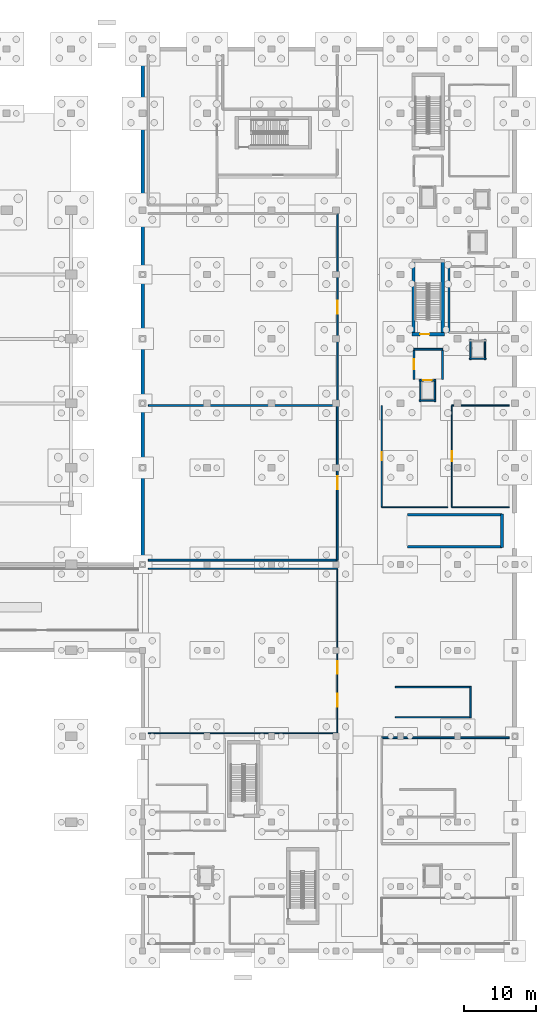
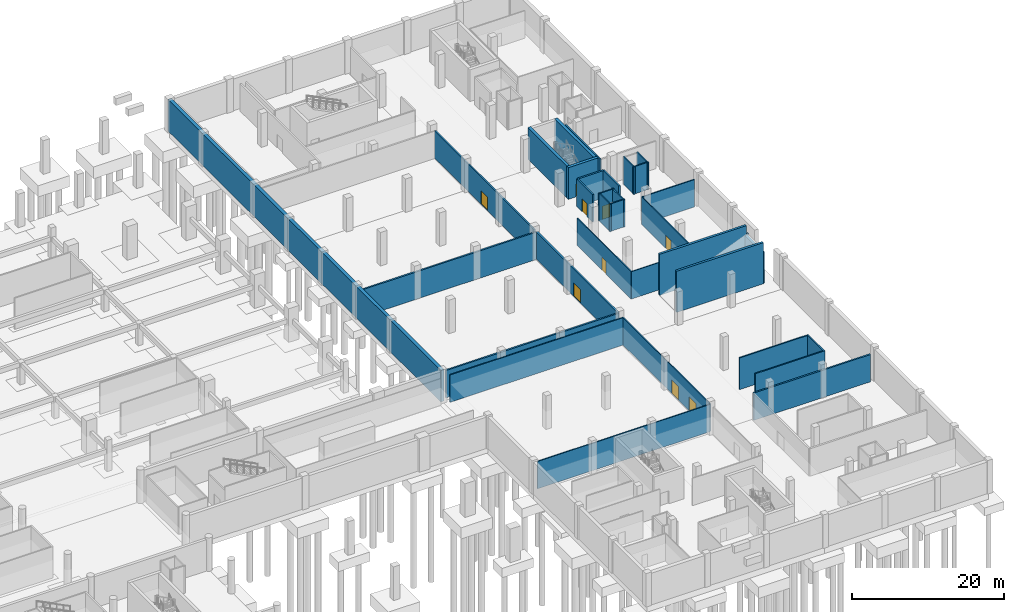
# One storey, part 15 of 26: 34 walls, 9 doors, 9 openings.
"""IFC4 building model written with IfcOpenShell, lengths in metres."""

import ifcopenshell
import ifcopenshell.guid

model = None  # the IFC model being written
_history = None  # IfcOwnerHistory: only IFC2X3 demands one
_inside = {}  # id of a spatial element -> (the spatial element, [elements in it])
_under = {}  # id of a project, library or spatial element -> (it, [spatial elements below it])
_declared = {}  # id of a project -> (the project, [libraries it declares])
_typed = {}  # id of a type object -> (the type object, [elements of that type])
_made_of = {}  # id of a material, layer set ... -> (it, [elements and type objects made of it])


def new_model(schema):
    """Start an empty IFC model of exactly this schema.

    Asked for "IFC4X3", IfcOpenShell would pick the latest addendum, in which some entities
    have other attributes; the version numbers below select the first issue.
    IFC2X3 requires an IfcOwnerHistory on every rooted entity: one is made here for all.
    """
    global model, _history
    if schema == "IFC4X3":
        model = ifcopenshell.file(schema_version=(4, 3, 0, 0))
    else:
        model = ifcopenshell.file(schema=schema)
    _inside.clear()
    _under.clear()
    _declared.clear()
    _typed.clear()
    _made_of.clear()
    _history = None
    if model.schema == "IFC2X3":
        org = make("IfcOrganization", Name="unknown")
        user = make(
            "IfcPersonAndOrganization",
            ThePerson=make("IfcPerson", FamilyName="unknown"),
            TheOrganization=org,
        )
        app = make(
            "IfcApplication",
            ApplicationDeveloper=org,
            Version="unknown",
            ApplicationFullName="unknown",
            ApplicationIdentifier="unknown",
        )
        _history = make(
            "IfcOwnerHistory",
            OwningUser=user,
            OwningApplication=app,
            ChangeAction="ADDED",
            CreationDate=0,
        )
    return model


def make(cls, **values):
    """One entity of the class cls with the attributes given. An attribute that is None is left unset."""
    return model.create_entity(
        cls, **{name: value for name, value in values.items() if value is not None}
    )


def rooted(cls, **values):
    """An entity with a GlobalId (a new one), such as an element, a storey or a relation."""
    return make(cls, GlobalId=ifcopenshell.guid.new(), OwnerHistory=_history, **values)


def si_unit(unit_type, name, prefix=None):
    """IfcSIUnit, for example si_unit("LENGTHUNIT", "METRE", prefix="MILLI")."""
    return make("IfcSIUnit", UnitType=unit_type, Prefix=prefix, Name=name)


def assignment(units):
    """IfcUnitAssignment: the units of a project."""
    return None if units is None else make("IfcUnitAssignment", Units=units)


def point(xyz):
    """IfcCartesianPoint."""
    return None if xyz is None else make("IfcCartesianPoint", Coordinates=xyz)


def direction(xyz):
    """IfcDirection."""
    return None if xyz is None else make("IfcDirection", DirectionRatios=xyz)


def frame(location, z_axis=None, x_axis=None):
    """IfcAxis2Placement3D, a coordinate frame: its origin and axes. An axis left out is left unset."""
    return make(
        "IfcAxis2Placement3D",
        Location=point(location),
        Axis=direction(z_axis),
        RefDirection=direction(x_axis),
    )


def frame_2d(location, x_axis=None):
    """IfcAxis2Placement2D, a coordinate frame in the plane: its origin and x axis."""
    return make(
        "IfcAxis2Placement2D", Location=point(location), RefDirection=direction(x_axis)
    )


def origin():
    """The frame at (0, 0, 0) with its axes left unset."""
    return frame((0.0, 0.0, 0.0))


def place(relative_to, where):
    """IfcLocalPlacement: puts the frame where relative to a parent placement (None: the world)."""
    return make(
        "IfcLocalPlacement", PlacementRelTo=relative_to, RelativePlacement=where
    )


def context(
    kind, dimensions, precision=None, world=None, true_north=None, identifier=None
):
    """IfcGeometricRepresentationContext, for example the 3D "Model" context."""
    return make(
        "IfcGeometricRepresentationContext",
        ContextIdentifier=identifier,
        ContextType=kind,
        CoordinateSpaceDimension=dimensions,
        Precision=precision,
        WorldCoordinateSystem=world,
        TrueNorth=true_north,
    )


def subcontext(parent, identifier, kind, view, scale=None):
    """IfcGeometricRepresentationSubContext, for example "Body" below "Model"."""
    return make(
        "IfcGeometricRepresentationSubContext",
        ContextIdentifier=identifier,
        ContextType=kind,
        ParentContext=parent,
        TargetScale=scale,
        TargetView=view,
    )


def project(units=None, contexts=None):
    """IfcProject with its units and contexts."""
    return rooted(
        "IfcProject",
        Name="project",
        RepresentationContexts=contexts,
        UnitsInContext=assignment(units),
    )


def spatial(cls, under=None, at=None, **own):
    """A site, building, storey or space (cls), placed at a placement, below another one or the project."""
    s = rooted(cls, ObjectPlacement=at, **own)
    if under is not None:
        _under.setdefault(under.id(), (under, []))[1].append(s)
    return s


def profile(cls, at=None, kind="AREA", **sizes):
    """A parametric profile (cls). Its sizes go by their IFC names, for example OverallWidth=200.0."""
    return make(cls, ProfileType=kind, Position=at, **sizes)


def rectangle(**sizes):
    """IfcRectangleProfileDef."""
    return profile("IfcRectangleProfileDef", **sizes)


def extrude(swept, where, along, depth):
    """IfcExtrudedAreaSolid: the profile swept, set in the frame where, extruded along a direction by depth."""
    return make(
        "IfcExtrudedAreaSolid",
        SweptArea=swept,
        Position=where,
        ExtrudedDirection=direction(along),
        Depth=depth,
    )


def shape(context_of_items, identifier, shape_type, items):
    """IfcShapeRepresentation: the items that make up one representation, for example the "Body"."""
    return make(
        "IfcShapeRepresentation",
        ContextOfItems=context_of_items,
        RepresentationIdentifier=identifier,
        RepresentationType=shape_type,
        Items=items,
    )


def material(Name=None, Category=None):
    """IfcMaterial."""
    return make("IfcMaterial", Name=Name, Category=Category)


def layer(
    of_material, thickness, ventilated=None, Name=None, Category=None, Priority=None
):
    """IfcMaterialLayer: one layer of a wall or slab, of a material (None: an air gap)."""
    return make(
        "IfcMaterialLayer",
        Material=of_material,
        LayerThickness=thickness,
        IsVentilated=ventilated,
        Name=Name,
        Category=Category,
        Priority=Priority,
    )


def layer_set(layers, Name=None):
    """IfcMaterialLayerSet."""
    return make("IfcMaterialLayerSet", MaterialLayers=layers, LayerSetName=Name)


def made_of(thing, what):
    """Note that an element or type object is made of a material, layer set ...; save() writes the relation."""
    if what is not None:
        _made_of.setdefault(what.id(), (what, []))[1].append(thing)
    return thing


def type_object(cls, material=None, **own):
    """A type object (cls), such as IfcWallType, which elements share."""
    return made_of(rooted(cls, **own), material)


def element(
    cls,
    number,
    at=None,
    inside=None,
    cuts=None,
    type_object=None,
    material=None,
    context=None,
    identifier="Body",
    shape_type=None,
    held_by="IfcProductDefinitionShape",
    body=None,
    shapes=None,
    **own,
):
    """One element of the class cls, such as IfcWall. Its Tag is "e" and its number.

    at: its placement. inside: the storey or other place that contains it. cuts: it is an
    opening in that element (IfcRelVoidsElement). A single representation is given by context,
    identifier, shape_type and body (its items); several are given by shapes. held_by: the class
    of the entity that holds the representations. save() writes the other relations.
    """
    e = rooted(cls, Tag="e%d" % number, ObjectPlacement=at, **own)
    if body is not None:
        shapes = [shape(context, identifier, shape_type, body)]
    if shapes is not None:
        e.Representation = make(held_by, Representations=shapes)
    if inside is not None:
        _inside.setdefault(inside.id(), (inside, []))[1].append(e)
    if cuts is not None:
        rooted(
            "IfcRelVoidsElement", RelatingBuildingElement=cuts, RelatedOpeningElement=e
        )
    if type_object is not None:
        _typed.setdefault(type_object.id(), (type_object, []))[1].append(e)
    return made_of(e, material)


def fill(opening, filler):
    """IfcRelFillsElement: the door or window that sits in an opening."""
    return rooted(
        "IfcRelFillsElement",
        RelatingOpeningElement=opening,
        RelatedBuildingElement=filler,
    )


def aggregate(whole, parts):
    """IfcRelAggregates: a whole, such as a stair, and the parts it consists of."""
    return rooted("IfcRelAggregates", RelatingObject=whole, RelatedObjects=parts)


def save(model, path):
    """Write the relations noted so far, then the file.

    IfcRelAggregates (storeys below a building ...), IfcRelContainedInSpatialStructure (elements
    in a storey), IfcRelDefinesByType, IfcRelAssociatesMaterial and IfcRelDeclares: one each for
    every whole, place, type object, material and project.
    """
    for whole, parts in _under.values():
        aggregate(whole, parts)
    for where, things in _inside.values():
        rooted(
            "IfcRelContainedInSpatialStructure",
            RelatedElements=things,
            RelatingStructure=where,
        )
    for kind, things in _typed.values():
        rooted("IfcRelDefinesByType", RelatedObjects=things, RelatingType=kind)
    for what, things in _made_of.values():
        rooted("IfcRelAssociatesMaterial", RelatedObjects=things, RelatingMaterial=what)
    for by, libraries in _declared.values():
        rooted("IfcRelDeclares", RelatingContext=by, RelatedDefinitions=libraries)
    model.write(path)


model = new_model("IFC4")

# Units and contexts
model_context = context("Model", 3, precision=1e-05, world=origin(), true_north=direction((0.0, 1.0)))
body_context = subcontext(model_context, "Body", "Model", "MODEL_VIEW")
ifc_project = project(units=[si_unit("LENGTHUNIT", "METRE"), si_unit("AREAUNIT", "SQUARE_METRE"), si_unit("VOLUMEUNIT", "CUBIC_METRE"), si_unit("PLANEANGLEUNIT", "RADIAN"), si_unit("MASSUNIT", "GRAM", prefix="KILO")], contexts=[model_context])

# Site, building, storey
site_placement = place(None, origin())
site = spatial("IfcSite", under=ifc_project, at=site_placement, CompositionType="ELEMENT")
building_placement = place(site_placement, origin())
building = spatial("IfcBuilding", under=site, at=building_placement, Name="Chuanluo Vaults Station", CompositionType="ELEMENT")
storey_placement = place(building_placement, frame((0.0, 0.0, -5.39990234375)))
storey = spatial("IfcBuildingStorey", under=building, at=storey_placement, Name="B1", CompositionType="ELEMENT", Elevation=-5.39990234375)

# Walls
ifc_material_1 = material(Name="Concrete C50", Category="concrete")
ifc_layer_1 = layer(ifc_material_1, 0.35009765625)
ifc_layer_set_1 = layer_set([ifc_layer_1], Name="Concrete C50")
wall_type_1 = type_object("IfcWallType", Name="WL-COR-350", PredefinedType="SHEAR", material=ifc_layer_set_1)
for number, where, z_axis, x_axis, name in (
    (1, (173.0, 56.449951171875, 0.0), (0.0, 0.0, 1.0), (1.0, 0.0, 0.0), "Service vehicle ramp south enclosure wall"),
    (2, (186.199951171875, 60.949951171875, 0.0), (0.0, 0.0, 1.0), (-1.0, 0.0, 0.0), "Service vehicle ramp north enclosure wall"),
):
    element("IfcWall", number, at=place(storey_placement, frame(where, z_axis=z_axis, x_axis=x_axis)), inside=storey, type_object=wall_type_1, Name=name, PredefinedType="SHEAR", context=body_context, shape_type="SweptSolid", body=[
        extrude(rectangle(XDim=13.199951171875, YDim=0.35009765625, at=frame_2d((6.60009765625, 0.0))), origin(), (0.0, 0.0, 1.0), 6.619873046875),
    ])
ifc_material_2 = material(Name="Concrete C50", Category="concrete")
ifc_layer_2 = layer(ifc_material_2, 0.39990234375)
ifc_layer_set_2 = layer_set([ifc_layer_2], Name="Concrete C50")
wall_type_2 = type_object("IfcWallType", Name="WL-COR-400", PredefinedType="SHEAR", material=ifc_layer_set_2)
wall_1_placement = place(storey_placement, frame((186.199951171875, 56.35009765625, 0.0), z_axis=(0.0, 0.0, 1.0), x_axis=(0.0, 1.0, 0.0)))
element("IfcWall", 3, at=wall_1_placement, inside=storey, type_object=wall_type_2, Name="Service vehicle ramp top bearing wall", PredefinedType="SHEAR", context=body_context, shape_type="SweptSolid", body=[
    extrude(rectangle(XDim=4.699951171875, YDim=0.39990234375, at=frame_2d((2.35009765625, 0.0))), origin(), (0.0, 0.0, 1.0), 5.099853515625),
])
ifc_material_3 = material(Name="Concrete C50", Category="concrete")
ifc_layer_3 = layer(ifc_material_3, 0.449951171875)
ifc_layer_set_3 = layer_set([ifc_layer_3], Name="Concrete C50")
wall_type_3 = type_object("IfcWallType", Name="WL-COR-450", PredefinedType="SHEAR", material=ifc_layer_set_3)
for number, where, z_axis, x_axis, name in (
    (4, (177.91259765625, 85.925048828125, 0.0), (0.0, 0.0, 1.0), (0.0, 1.0, 0.0), "Core K1 left shear wall"),
    (5, (173.842529296875, 96.62255859375, 0.0), (0.0, 0.0, 1.0), (0.0, -1.0, 0.0), "Core K1 right shear wall"),
):
    element("IfcWall", number, at=place(storey_placement, frame(where, z_axis=z_axis, x_axis=x_axis)), inside=storey, type_object=wall_type_3, Name=name, PredefinedType="SHEAR", context=body_context, shape_type="SweptSolid", body=[
        extrude(rectangle(XDim=10.697509765625, YDim=0.449951171875, at=frame_2d((5.3486328125, 0.0))), origin(), (0.0, 0.0, 1.0), 5.099853515625),
    ])

# Wall, opening, door
wall_2_placement = place(storey_placement, frame((173.617431640625, 86.14990234375, 0.0), z_axis=(0.0, 0.0, 1.0), x_axis=(1.0, 0.0, 0.0)))
wall_2 = element("IfcWall", 6, at=wall_2_placement, inside=storey, type_object=wall_type_3, Name="Core K1 near shear wall", PredefinedType="SHEAR", context=body_context, shape_type="SweptSolid", body=[
    extrude(rectangle(XDim=4.52001953125, YDim=0.449951171875, at=frame_2d((2.260009765625, 0.0))), origin(), (0.0, 0.0, 1.0), 5.099853515625),
])
opening_1_placement = place(wall_2_placement, frame((1.14990234375, 0.0, 0.0)))
opening_1 = element("IfcOpeningElement", 7, at=opening_1_placement, cuts=wall_2, Name="Opening FD-05", PredefinedType="OPENING", context=body_context, shape_type="SweptSolid", body=[
    extrude(rectangle(XDim=1.300048828125, YDim=2.10009765625, at=frame_2d((0.64990234375, 1.050048828125))), frame((0.0, 0.2351, 0.0), z_axis=(0.0, -1.0, 0.0), x_axis=(1.0, 0.0, 0.0)), (0.0, 0.0, 1.0), 0.46995),
])
ifc_material_4 = material(Name="Fire-rated steel leaf", Category="steel")
door_type_1 = type_object("IfcDoorType", Name="DR-FIR-1300x2100", OperationType="NOTDEFINED", PredefinedType="DOOR", material=ifc_material_4)
door_1_placement = place(opening_1_placement, origin())
door_1 = element("IfcDoor", 8, at=door_1_placement, inside=storey, type_object=door_type_1, Name="D-058 Stair ST-01 fire door", OperationType="SINGLE_SWING_LEFT", OverallHeight=2.10009765625, OverallWidth=1.300048828125, PredefinedType="DOOR", context=body_context, shape_type="SweptSolid", body=[
    extrude(rectangle(XDim=1.300048828125, YDim=2.10009765625, at=frame_2d((0.64990234375, 1.050048828125))), frame((0.0, 0.02490234375, 0.0), z_axis=(0.0, -1.0, 0.0), x_axis=(1.0, 0.0, 0.0)), (0.0, 0.0, 1.0), 0.050048828125),
])
fill(opening_1, door_1)

ifc_material_5 = material(Name="Concrete C40", Category="concrete")
ifc_layer_4 = layer(ifc_material_5, 0.219970703125)
ifc_layer_set_4 = layer_set([ifc_layer_4], Name="Concrete C40")
wall_type_4 = type_object("IfcWallType", Name="WL-FIR-220", PredefinedType="SOLIDWALL", material=ifc_layer_set_4)
wall_3_placement = place(storey_placement, frame((163.199951171875, 103.0, 0.0), z_axis=(0.0, 0.0, 1.0), x_axis=(0.0, -1.0, 0.0)))
wall_3 = element("IfcWall", 9, at=wall_3_placement, inside=storey, type_object=wall_type_4, Name="B1-09 District Chiller Plant Room E partition", PredefinedType="SOLIDWALL", context=body_context, shape_type="SweptSolid", body=[
    extrude(rectangle(XDim=26.199951171875, YDim=0.219970703125, at=frame_2d((13.10009765625, 0.0))), origin(), (0.0, 0.0, 1.0), 4.39990234375),
])
opening_2_placement = place(wall_3_placement, frame((12.199951171875, 0.0, 0.0)))
opening_2 = element("IfcOpeningElement", 10, at=opening_2_placement, cuts=wall_3, Name="Opening FD-01", PredefinedType="OPENING", context=body_context, shape_type="SweptSolid", body=[
    extrude(rectangle(XDim=1.800048828125, YDim=2.199951171875, at=frame_2d((0.89990234375, 1.10009765625))), frame((0.0, 0.11986, 0.0), z_axis=(0.0, -1.0, 0.0), x_axis=(1.0, 0.0, 0.0)), (0.0, 0.0, 1.0), 0.23997),
])
ifc_material_6 = material(Name="Fire-rated steel leaf", Category="steel")
door_type_2 = type_object("IfcDoorType", Name="DR-FIR-1800x2200", OperationType="NOTDEFINED", PredefinedType="DOOR", material=ifc_material_6)
door_2_placement = place(opening_2_placement, origin())
door_2 = element("IfcDoor", 11, at=door_2_placement, inside=storey, type_object=door_type_2, Name="D-138 District Chiller Plant Room door", OperationType="SINGLE_SWING_LEFT", OverallHeight=2.199951171875, OverallWidth=1.800048828125, PredefinedType="DOOR", context=body_context, shape_type="SweptSolid", body=[
    extrude(rectangle(XDim=1.800048828125, YDim=2.199951171875, at=frame_2d((0.89990234375, 1.10009765625))), frame((0.0, 0.02490234375, 0.0), z_axis=(0.0, -1.0, 0.0), x_axis=(1.0, 0.0, 0.0)), (0.0, 0.0, 1.0), 0.050048828125),
])
fill(opening_2, door_2)

# Walls
wall_4_placement = place(storey_placement, frame((178.800048828125, 86.39990234375, 0.0), z_axis=(0.0, 0.0, 1.0), x_axis=(0.0, 1.0, 0.0)))
element("IfcWall", 12, at=wall_4_placement, inside=storey, type_object=wall_type_4, Name="B1-20 Uninterruptible Power Battery Room W partition", PredefinedType="SOLIDWALL", context=body_context, shape_type="SweptSolid", body=[
    extrude(rectangle(XDim=9.2001953125, YDim=0.219970703125, at=frame_2d((4.60009765625, 0.0))), origin(), (0.0, 0.0, 1.0), 4.39990234375),
])
ifc_material_7 = material(Name="Concrete C40", Category="concrete")
ifc_layer_5 = layer(ifc_material_7, 0.25)
ifc_layer_set_5 = layer_set([ifc_layer_5], Name="Concrete C40")
wall_type_5 = type_object("IfcWallType", Name="WL-FIR-250", PredefinedType="SOLIDWALL", material=ifc_layer_set_5)
for number, where, z_axis, x_axis, name in (
    (13, (163.199951171875, 54.60009765625, 0.0), (0.0, 0.0, 1.0), (-1.0, 0.0, 0.0), "B1-08 High-Voltage Traction Substation S partition"),
    (14, (136.800048828125, 76.199951171875, 0.0), (0.0, 0.0, 1.0), (1.0, 0.0, 0.0), "B1-08 High-Voltage Traction Substation N partition"),
):
    element("IfcWall", number, at=place(storey_placement, frame(where, z_axis=z_axis, x_axis=x_axis)), inside=storey, type_object=wall_type_5, Name=name, PredefinedType="SOLIDWALL", context=body_context, shape_type="SweptSolid", body=[
        extrude(rectangle(XDim=26.39990234375, YDim=0.25, at=frame_2d((13.199951171875, 0.0))), origin(), (0.0, 0.0, 1.0), 4.39990234375),
    ])

# Wall, opening, door
wall_5_placement = place(storey_placement, frame((163.199951171875, 76.199951171875, 0.0), z_axis=(0.0, 0.0, 1.0), x_axis=(0.0, -1.0, 0.0)))
wall_5 = element("IfcWall", 15, at=wall_5_placement, inside=storey, type_object=wall_type_5, Name="B1-08 High-Voltage Traction Substation E partition", PredefinedType="SOLIDWALL", context=body_context, shape_type="SweptSolid", body=[
    extrude(rectangle(XDim=21.599853515625, YDim=0.25, at=frame_2d((10.7998046875, 0.0))), origin(), (0.0, 0.0, 1.0), 4.39990234375),
])
opening_3_placement = place(wall_5_placement, frame((9.89990234375, 0.0, 0.0)))
opening_3 = element("IfcOpeningElement", 16, at=opening_3_placement, cuts=wall_5, Name="Opening FD-01", PredefinedType="OPENING", context=body_context, shape_type="SweptSolid", body=[
    extrude(rectangle(XDim=1.800048828125, YDim=2.199951171875, at=frame_2d((0.89990234375, 1.10009765625))), frame((0.0, 0.135, 0.0), z_axis=(0.0, -1.0, 0.0), x_axis=(1.0, 0.0, 0.0)), (0.0, 0.0, 1.0), 0.27),
])
door_3_placement = place(opening_3_placement, origin())
door_3 = element("IfcDoor", 17, at=door_3_placement, inside=storey, type_object=door_type_2, Name="D-137 High-Voltage Traction Substation door", OperationType="SINGLE_SWING_RIGHT", OverallHeight=2.199951171875, OverallWidth=1.800048828125, PredefinedType="DOOR", context=body_context, shape_type="SweptSolid", body=[
    extrude(rectangle(XDim=1.800048828125, YDim=2.199951171875, at=frame_2d((0.89990234375, 1.10009765625))), frame((0.0, 0.02490234375, 0.0), z_axis=(0.0, -1.0, 0.0), x_axis=(1.0, 0.0, 0.0)), (0.0, 0.0, 1.0), 0.050048828125),
])
fill(opening_3, door_3)

# Walls
wall_6_placement = place(storey_placement, frame((169.39990234375, 29.800048828125, 0.0), z_axis=(0.0, 0.0, 1.0), x_axis=(1.0, 0.0, 0.0)))
element("IfcWall", 18, at=wall_6_placement, inside=storey, type_object=wall_type_5, Name="B1-12 Emergency Diesel Generator Hall N partition", PredefinedType="SOLIDWALL", context=body_context, shape_type="SweptSolid", body=[
    extrude(rectangle(XDim=17.800048828125, YDim=0.25, at=frame_2d((8.89990234375, 0.0))), origin(), (0.0, 0.0, 1.0), 4.39990234375),
])
wall_7_placement = place(storey_placement, frame((173.89990234375, 84.050048828125, 0.0), z_axis=(0.0, 0.0, 1.0), x_axis=(1.0, 0.0, 0.0)))
element("IfcWall", 19, at=wall_7_placement, inside=storey, type_object=wall_type_5, Name="B1-FFL-K1 Firefighting Lift Lobby FFL-01 B1 N partition", PredefinedType="SOLIDWALL", context=body_context, shape_type="SweptSolid", body=[
    extrude(rectangle(XDim=4.0, YDim=0.25, at=frame_2d((2.0, 0.0))), origin(), (0.0, 0.0, 1.0), 4.39990234375),
])

# Wall, opening, door
wall_8_placement = place(storey_placement, frame((173.89990234375, 79.85009765625, 0.0), z_axis=(0.0, 0.0, 1.0), x_axis=(0.0, 1.0, 0.0)))
wall_8 = element("IfcWall", 20, at=wall_8_placement, inside=storey, type_object=wall_type_5, Name="B1-FFL-K1 Firefighting Lift Lobby FFL-01 B1 W partition", PredefinedType="SOLIDWALL", context=body_context, shape_type="SweptSolid", body=[
    extrude(rectangle(XDim=4.199951171875, YDim=0.25, at=frame_2d((2.10009765625, 0.0))), origin(), (0.0, 0.0, 1.0), 4.39990234375),
])
opening_4_placement = place(wall_8_placement, frame((1.39990234375, 0.0, 0.0)))
opening_4 = element("IfcOpeningElement", 21, at=opening_4_placement, cuts=wall_8, Name="Opening FD-04", PredefinedType="OPENING", context=body_context, shape_type="SweptSolid", body=[
    extrude(rectangle(XDim=1.39990234375, YDim=2.10009765625, at=frame_2d((0.699951171875, 1.050048828125))), frame((0.0, 0.135, 0.0), z_axis=(0.0, -1.0, 0.0), x_axis=(1.0, 0.0, 0.0)), (0.0, 0.0, 1.0), 0.27),
])
ifc_material_8 = material(Name="Fire-rated steel leaf", Category="steel")
door_type_3 = type_object("IfcDoorType", Name="DR-FIR-1400x2100", OperationType="NOTDEFINED", PredefinedType="DOOR", material=ifc_material_8)
door_4_placement = place(opening_4_placement, origin())
door_4 = element("IfcDoor", 22, at=door_4_placement, inside=storey, type_object=door_type_3, Name="D-267 Firefighting Lift Lobby FFL-01 B1 door", OperationType="SINGLE_SWING_RIGHT", OverallHeight=2.10009765625, OverallWidth=1.39990234375, PredefinedType="DOOR", context=body_context, shape_type="SweptSolid", body=[
    extrude(rectangle(XDim=1.39990234375, YDim=2.10009765625, at=frame_2d((0.699951171875, 1.050048828125))), frame((0.0, 0.02490234375, 0.0), z_axis=(0.0, -1.0, 0.0), x_axis=(1.0, 0.0, 0.0)), (0.0, 0.0, 1.0), 0.050048828125),
])
fill(opening_4, door_4)

# Walls
wall_9_placement = place(storey_placement, frame((177.89990234375, 84.050048828125, 0.0), z_axis=(0.0, 0.0, 1.0), x_axis=(0.0, -1.0, 0.0)))
element("IfcWall", 23, at=wall_9_placement, inside=storey, type_object=wall_type_5, Name="B1-FFL-K1 Firefighting Lift Lobby FFL-01 B1 E partition", PredefinedType="SOLIDWALL", context=body_context, shape_type="SweptSolid", body=[
    extrude(rectangle(XDim=4.199951171875, YDim=0.25, at=frame_2d((2.10009765625, 0.0))), origin(), (0.0, 0.0, 1.0), 4.39990234375),
])
ifc_material_9 = material(Name="Autoclaved aerated concrete blockwork MU10", Category="masonry")
ifc_layer_6 = layer(ifc_material_9, 0.14990234375)
ifc_layer_set_6 = layer_set([ifc_layer_6], Name="Autoclaved aerated concrete blockwork MU10")
wall_type_6 = type_object("IfcWallType", Name="WL-PRT-150", PredefinedType="PARTITIONING", material=ifc_layer_set_6)
wall_10_placement = place(storey_placement, frame((178.60009765625, 62.0, 0.0), z_axis=(0.0, 0.0, 1.0), x_axis=(-1.0, 0.0, 0.0)))
element("IfcWall", 24, at=wall_10_placement, inside=storey, type_object=wall_type_6, Name="B1-15 Staff Changing and Locker Room S partition", PredefinedType="PARTITIONING", context=body_context, shape_type="SweptSolid", body=[
    extrude(rectangle(XDim=9.2001953125, YDim=0.14990234375, at=frame_2d((4.60009765625, 0.0))), origin(), (0.0, 0.0, 1.0), 4.39990234375),
])

# Wall, opening, door
wall_11_placement = place(storey_placement, frame((169.39990234375, 62.0, 0.0), z_axis=(0.0, 0.0, 1.0), x_axis=(0.0, 1.0, 0.0)))
wall_11 = element("IfcWall", 25, at=wall_11_placement, inside=storey, type_object=wall_type_6, Name="B1-15 Staff Changing and Locker Room W partition", PredefinedType="PARTITIONING", context=body_context, shape_type="SweptSolid", body=[
    extrude(rectangle(XDim=14.199951171875, YDim=0.14990234375, at=frame_2d((7.10009765625, 0.0))), origin(), (0.0, 0.0, 1.0), 4.39990234375),
])
opening_5_placement = place(wall_11_placement, frame((6.52490234375, 0.0, 0.0)))
opening_5 = element("IfcOpeningElement", 26, at=opening_5_placement, cuts=wall_11, Name="Opening D-I06", PredefinedType="OPENING", context=body_context, shape_type="SweptSolid", body=[
    extrude(rectangle(XDim=1.14990234375, YDim=2.10009765625, at=frame_2d((0.574951171875, 1.050048828125))), frame((0.0, 0.08495, 0.0), z_axis=(0.0, -1.0, 0.0), x_axis=(1.0, 0.0, 0.0)), (0.0, 0.0, 1.0), 0.1699),
])
ifc_material_10 = material(Name="Anodised aluminium 6063-T6", Category="aluminium")
door_type_4 = type_object("IfcDoorType", Name="DR-INT-1150x2100", OperationType="NOTDEFINED", PredefinedType="DOOR", material=ifc_material_10)
door_5_placement = place(opening_5_placement, origin())
door_5 = element("IfcDoor", 27, at=door_5_placement, inside=storey, type_object=door_type_4, Name="D-142 Staff Changing and Locker Room door", OperationType="SINGLE_SWING_LEFT", OverallHeight=2.10009765625, OverallWidth=1.14990234375, PredefinedType="DOOR", context=body_context, shape_type="SweptSolid", body=[
    extrude(rectangle(XDim=1.14990234375, YDim=2.10009765625, at=frame_2d((0.574951171875, 1.050048828125))), frame((0.0, 0.02490234375, 0.0), z_axis=(0.0, -1.0, 0.0), x_axis=(1.0, 0.0, 0.0)), (0.0, 0.0, 1.0), 0.050048828125),
])
fill(opening_5, door_5)

# Walls
ifc_material_11 = material(Name="Autoclaved aerated concrete blockwork MU10", Category="masonry")
ifc_layer_7 = layer(ifc_material_11, 0.159912109375)
ifc_layer_set_7 = layer_set([ifc_layer_7], Name="Autoclaved aerated concrete blockwork MU10")
wall_type_7 = type_object("IfcWallType", Name="WL-PRT-160", PredefinedType="PARTITIONING", material=ifc_layer_set_7)
for number, where, z_axis, x_axis, name in (
    (28, (163.199951171875, 30.39990234375, 0.0), (0.0, 0.0, 1.0), (-1.0, 0.0, 0.0), "B1-06 Checked Baggage Sorting Hall S partition"),
    (29, (136.800048828125, 53.39990234375, 0.0), (0.0, 0.0, 1.0), (1.0, 0.0, 0.0), "B1-06 Checked Baggage Sorting Hall N partition"),
):
    element("IfcWall", number, at=place(storey_placement, frame(where, z_axis=z_axis, x_axis=x_axis)), inside=storey, type_object=wall_type_7, Name=name, PredefinedType="PARTITIONING", context=body_context, shape_type="SweptSolid", body=[
        extrude(rectangle(XDim=26.39990234375, YDim=0.159912109375, at=frame_2d((13.199951171875, 0.0))), origin(), (0.0, 0.0, 1.0), 4.39990234375),
    ])

# Wall, openings, doors
wall_12_placement = place(storey_placement, frame((163.199951171875, 53.39990234375, 0.0), z_axis=(0.0, 0.0, 1.0), x_axis=(0.0, -1.0, 0.0)))
wall_12 = element("IfcWall", 30, at=wall_12_placement, inside=storey, type_object=wall_type_7, Name="B1-06 Checked Baggage Sorting Hall E partition", PredefinedType="PARTITIONING", context=body_context, shape_type="SweptSolid", body=[
    extrude(rectangle(XDim=23.0, YDim=0.159912109375, at=frame_2d((11.5, 0.0))), origin(), (0.0, 0.0, 1.0), 4.39990234375),
])
opening_6_placement = place(wall_12_placement, frame((12.89990234375, 0.0, 0.0)))
opening_6 = element("IfcOpeningElement", 31, at=opening_6_placement, cuts=wall_12, Name="Opening FD-01", PredefinedType="OPENING", context=body_context, shape_type="SweptSolid", body=[
    extrude(rectangle(XDim=1.800048828125, YDim=2.199951171875, at=frame_2d((0.89990234375, 1.10009765625))), frame((0.0, 0.09008, 0.0), z_axis=(0.0, -1.0, 0.0), x_axis=(1.0, 0.0, 0.0)), (0.0, 0.0, 1.0), 0.17991),
])
opening_7_placement = place(wall_12_placement, frame((17.47998046875, 0.0, 0.0)))
opening_7 = element("IfcOpeningElement", 32, at=opening_7_placement, cuts=wall_12, Name="Opening FD-01", PredefinedType="OPENING", context=body_context, shape_type="SweptSolid", body=[
    extrude(rectangle(XDim=1.800048828125, YDim=2.199951171875, at=frame_2d((0.89990234375, 1.10009765625))), frame((0.0, 0.09008, 0.0), z_axis=(0.0, -1.0, 0.0), x_axis=(1.0, 0.0, 0.0)), (0.0, 0.0, 1.0), 0.17991),
])
door_6_placement = place(opening_6_placement, origin())
door_6 = element("IfcDoor", 33, at=door_6_placement, inside=storey, type_object=door_type_2, Name="D-133 Checked Baggage Sorting Hall door", OperationType="SINGLE_SWING_RIGHT", OverallHeight=2.199951171875, OverallWidth=1.800048828125, PredefinedType="DOOR", context=body_context, shape_type="SweptSolid", body=[
    extrude(rectangle(XDim=1.800048828125, YDim=2.199951171875, at=frame_2d((0.89990234375, 1.10009765625))), frame((0.0, 0.02490234375, 0.0), z_axis=(0.0, -1.0, 0.0), x_axis=(1.0, 0.0, 0.0)), (0.0, 0.0, 1.0), 0.050048828125),
])
fill(opening_6, door_6)
door_7_placement = place(opening_7_placement, origin())
door_7 = element("IfcDoor", 34, at=door_7_placement, inside=storey, type_object=door_type_2, Name="D-134 Checked Baggage Sorting Hall secondary exit door", OperationType="SINGLE_SWING_LEFT", OverallHeight=2.199951171875, OverallWidth=1.800048828125, PredefinedType="DOOR", context=body_context, shape_type="SweptSolid", body=[
    extrude(rectangle(XDim=1.800048828125, YDim=2.199951171875, at=frame_2d((0.89990234375, 1.10009765625))), frame((0.0, 0.02490234375, 0.0), z_axis=(0.0, -1.0, 0.0), x_axis=(1.0, 0.0, 0.0)), (0.0, 0.0, 1.0), 0.050048828125),
])
fill(opening_7, door_7)

# Walls
for number, where, z_axis, x_axis, name in (
    (35, (187.199951171875, 62.0, 0.0), (0.0, 0.0, 1.0), (-1.0, 0.0, 0.0), "B1-14 Refuse Compaction and Cold Store S partition"),
    (36, (179.199951171875, 76.199951171875, 0.0), (0.0, 0.0, 1.0), (1.0, 0.0, 0.0), "B1-14 Refuse Compaction and Cold Store N partition"),
):
    element("IfcWall", number, at=place(storey_placement, frame(where, z_axis=z_axis, x_axis=x_axis)), inside=storey, type_object=wall_type_7, Name=name, PredefinedType="PARTITIONING", context=body_context, shape_type="SweptSolid", body=[
        extrude(rectangle(XDim=8.0, YDim=0.159912109375, at=frame_2d((4.0, 0.0))), origin(), (0.0, 0.0, 1.0), 4.39990234375),
    ])

# Wall, opening, door
wall_13_placement = place(storey_placement, frame((179.199951171875, 62.0, 0.0), z_axis=(0.0, 0.0, 1.0), x_axis=(0.0, 1.0, 0.0)))
wall_13 = element("IfcWall", 37, at=wall_13_placement, inside=storey, type_object=wall_type_7, Name="B1-14 Refuse Compaction and Cold Store W partition", PredefinedType="PARTITIONING", context=body_context, shape_type="SweptSolid", body=[
    extrude(rectangle(XDim=14.199951171875, YDim=0.159912109375, at=frame_2d((7.10009765625, 0.0))), origin(), (0.0, 0.0, 1.0), 4.39990234375),
])
opening_8_placement = place(wall_13_placement, frame((6.39990234375, 0.0, 0.0)))
opening_8 = element("IfcOpeningElement", 38, at=opening_8_placement, cuts=wall_13, Name="Opening FD-04", PredefinedType="OPENING", context=body_context, shape_type="SweptSolid", body=[
    extrude(rectangle(XDim=1.39990234375, YDim=2.10009765625, at=frame_2d((0.699951171875, 1.050048828125))), frame((0.0, 0.09008, 0.0), z_axis=(0.0, -1.0, 0.0), x_axis=(1.0, 0.0, 0.0)), (0.0, 0.0, 1.0), 0.17991),
])
door_8_placement = place(opening_8_placement, origin())
door_8 = element("IfcDoor", 39, at=door_8_placement, inside=storey, type_object=door_type_3, Name="D-141 Refuse Compaction and Cold Store door", OperationType="SINGLE_SWING_RIGHT", OverallHeight=2.10009765625, OverallWidth=1.39990234375, PredefinedType="DOOR", context=body_context, shape_type="SweptSolid", body=[
    extrude(rectangle(XDim=1.39990234375, YDim=2.10009765625, at=frame_2d((0.699951171875, 1.050048828125))), frame((0.0, 0.02490234375, 0.0), z_axis=(0.0, -1.0, 0.0), x_axis=(1.0, 0.0, 0.0)), (0.0, 0.0, 1.0), 0.050048828125),
])
fill(opening_8, door_8)

# Walls
ifc_material_12 = material(Name="Concrete C40", Category="concrete")
ifc_layer_8 = layer(ifc_material_12, 0.5)
ifc_layer_set_8 = layer_set([ifc_layer_8], Name="Concrete C40")
wall_type_8 = type_object("IfcWallType", Name="WL-RET-500", PredefinedType="USERDEFINED", material=ifc_layer_set_8)
wall_14_placement = place(storey_placement, frame((136.0, 126.0, 0.0), z_axis=(0.0, 0.0, 1.0), x_axis=(0.0, -1.0, 0.0)))
element("IfcWall", 40, at=wall_14_placement, inside=storey, type_object=wall_type_8, Name="Basement perimeter retaining wall 05", ObjectType="RETAININGWALL", PredefinedType="USERDEFINED", context=body_context, shape_type="SweptSolid", body=[
    extrude(rectangle(XDim=72.0, YDim=0.5, at=frame_2d((36.0, 0.0))), origin(), (0.0, 0.0, 1.0), 5.099853515625),
])
ifc_material_13 = material(Name="Concrete C40", Category="concrete")
ifc_layer_9 = layer(ifc_material_13, 0.199951171875)
ifc_layer_set_9 = layer_set([ifc_layer_9], Name="Concrete C40")
wall_type_9 = type_object("IfcWallType", Name="WL-SHF-200", PredefinedType="SOLIDWALL", material=ifc_layer_set_9)
for number, where, z_axis, x_axis, name in (
    (41, (171.300048828125, 32.64990234375, 0.0), (0.0, 0.0, 1.0), (1.0, 0.0, 0.0), "Stair ST-26 south shaft wall B1"),
    (42, (181.875, 36.85009765625, 0.0), (0.0, 0.0, 1.0), (-1.0, 0.0, 0.0), "Stair ST-26 north shaft wall B1"),
):
    element("IfcWall", number, at=place(storey_placement, frame(where, z_axis=z_axis, x_axis=x_axis)), inside=storey, type_object=wall_type_9, Name=name, PredefinedType="SOLIDWALL", context=body_context, shape_type="SweptSolid", body=[
        extrude(rectangle(XDim=10.574951171875, YDim=0.199951171875, at=frame_2d((5.28759765625, 0.0))), origin(), (0.0, 0.0, 1.0), 5.099853515625),
    ])
wall_15_placement = place(storey_placement, frame((181.77490234375, 32.550048828125, 0.0), z_axis=(0.0, 0.0, 1.0), x_axis=(0.0, 1.0, 0.0)))
element("IfcWall", 43, at=wall_15_placement, inside=storey, type_object=wall_type_9, Name="Stair ST-26 far shaft wall B1", PredefinedType="SOLIDWALL", context=body_context, shape_type="SweptSolid", body=[
    extrude(rectangle(XDim=4.39990234375, YDim=0.199951171875, at=frame_2d((2.199951171875, 0.0))), origin(), (0.0, 0.0, 1.0), 5.099853515625),
])
wall_16_placement = place(storey_placement, frame((174.6298828125, 76.8798828125, 0.0), z_axis=(0.0, 0.0, 1.0), x_axis=(1.0, 0.0, 0.0)))
element("IfcWall", 44, at=wall_16_placement, inside=storey, type_object=wall_type_9, Name="Lift FFL-01 shaft wall B1 -Y", PredefinedType="SOLIDWALL", context=body_context, shape_type="SweptSolid", body=[
    extrude(rectangle(XDim=2.340087890625, YDim=0.199951171875, at=frame_2d((1.169921875, 0.0))), origin(), (0.0, 0.0, 1.0), 4.39990234375),
])

# Wall, opening, door
wall_17_placement = place(storey_placement, frame((176.969970703125, 79.719970703125, 0.0), z_axis=(0.0, 0.0, 1.0), x_axis=(-1.0, 0.0, 0.0)))
wall_17 = element("IfcWall", 45, at=wall_17_placement, inside=storey, type_object=wall_type_9, Name="Lift FFL-01 shaft wall B1 +Y", PredefinedType="SOLIDWALL", context=body_context, shape_type="SweptSolid", body=[
    extrude(rectangle(XDim=2.340087890625, YDim=0.199951171875, at=frame_2d((1.169921875, 0.0))), origin(), (0.0, 0.0, 1.0), 4.39990234375),
])
opening_9_placement = place(wall_17_placement, frame((0.570068359375, 0.0, 0.0)))
opening_9 = element("IfcOpeningElement", 46, at=opening_9_placement, cuts=wall_17, Name="Opening LD-02", PredefinedType="OPENING", context=body_context, shape_type="SweptSolid", body=[
    extrude(rectangle(XDim=1.199951171875, YDim=2.14990234375, at=frame_2d((0.60009765625, 1.074951171875))), frame((0.0, 0.1101, 0.0), z_axis=(0.0, -1.0, 0.0), x_axis=(1.0, 0.0, 0.0)), (0.0, 0.0, 1.0), 0.21995),
])
ifc_material_14 = material(Name="Brushed stainless steel 304", Category="steel")
door_type_5 = type_object("IfcDoorType", Name="DR-LFT-1200x2150", OperationType="SLIDING_TO_LEFT", PredefinedType="DOOR", material=ifc_material_14)
door_9_placement = place(opening_9_placement, origin())
door_9 = element("IfcDoor", 47, at=door_9_placement, inside=storey, type_object=door_type_5, Name="LD-FFL-01-01 Lift FFL-01 sliding landing door B1", OperationType="SLIDING_TO_LEFT", OverallHeight=2.14990234375, OverallWidth=1.199951171875, PredefinedType="DOOR", context=body_context, shape_type="SweptSolid", body=[
    extrude(rectangle(XDim=1.199951171875, YDim=2.14990234375, at=frame_2d((0.60009765625, 1.074951171875))), frame((0.0, 0.02490234375, 0.0), z_axis=(0.0, -1.0, 0.0), x_axis=(1.0, 0.0, 0.0)), (0.0, 0.0, 1.0), 0.050048828125),
])
fill(opening_9, door_9)

# Walls
for number, where, z_axis, x_axis, name in (
    (48, (174.780029296875, 79.8701171875, 0.0), (0.0, 0.0, 1.0), (0.0, -1.0, 0.0), "Lift FFL-01 shaft wall B1 -X"),
    (49, (176.820068359375, 76.72998046875, 0.0), (0.0, 0.0, 1.0), (0.0, 1.0, 0.0), "Lift FFL-01 shaft wall B1 +X"),
):
    element("IfcWall", number, at=place(storey_placement, frame(where, z_axis=z_axis, x_axis=x_axis)), inside=storey, type_object=wall_type_9, Name=name, PredefinedType="SOLIDWALL", context=body_context, shape_type="SweptSolid", body=[
        extrude(rectangle(XDim=3.14013671875, YDim=0.199951171875, at=frame_2d((1.570068359375, 0.0))), origin(), (0.0, 0.0, 1.0), 4.39990234375),
    ])
wall_18_placement = place(storey_placement, frame((181.6298828125, 82.72998046875, 0.0), z_axis=(0.0, 0.0, 1.0), x_axis=(1.0, 0.0, 0.0)))
element("IfcWall", 50, at=wall_18_placement, inside=storey, type_object=wall_type_9, Name="Lift EL-03 shaft wall B1 -Y", PredefinedType="SOLIDWALL", context=body_context, shape_type="SweptSolid", body=[
    extrude(rectangle(XDim=2.340087890625, YDim=0.199951171875, at=frame_2d((1.169921875, 0.0))), origin(), (0.0, 0.0, 1.0), 4.39990234375),
])
for number, where, z_axis, x_axis, name in (
    (51, (181.780029296875, 85.419921875, 0.0), (0.0, 0.0, 1.0), (0.0, -1.0, 0.0), "Lift EL-03 shaft wall B1 -X"),
    (52, (183.820068359375, 82.580078125, 0.0), (0.0, 0.0, 1.0), (0.0, 1.0, 0.0), "Lift EL-03 shaft wall B1 +X"),
):
    element("IfcWall", number, at=place(storey_placement, frame(where, z_axis=z_axis, x_axis=x_axis)), inside=storey, type_object=wall_type_9, Name=name, PredefinedType="SOLIDWALL", context=body_context, shape_type="SweptSolid", body=[
        extrude(rectangle(XDim=2.83984375, YDim=0.199951171875, at=frame_2d((1.419921875, 0.0))), origin(), (0.0, 0.0, 1.0), 4.39990234375),
    ])

save(model, "model.ifc")
